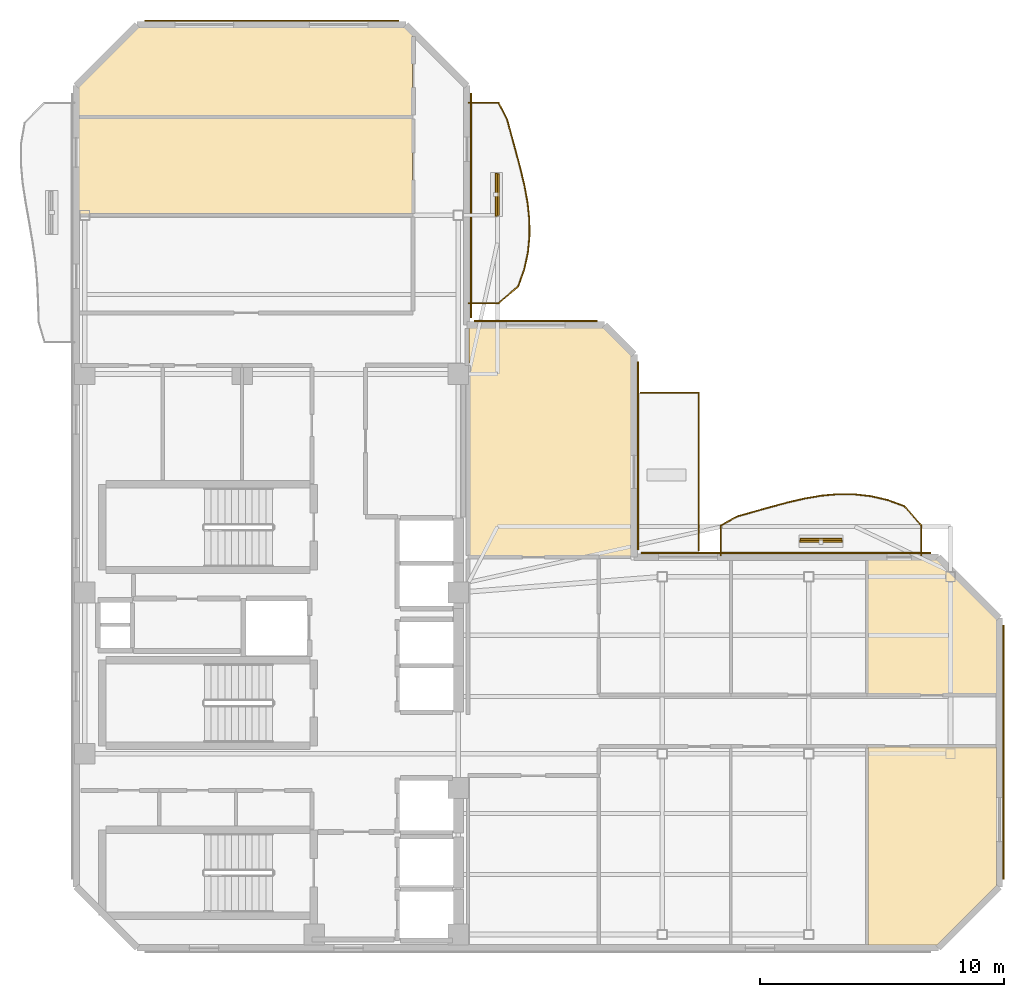
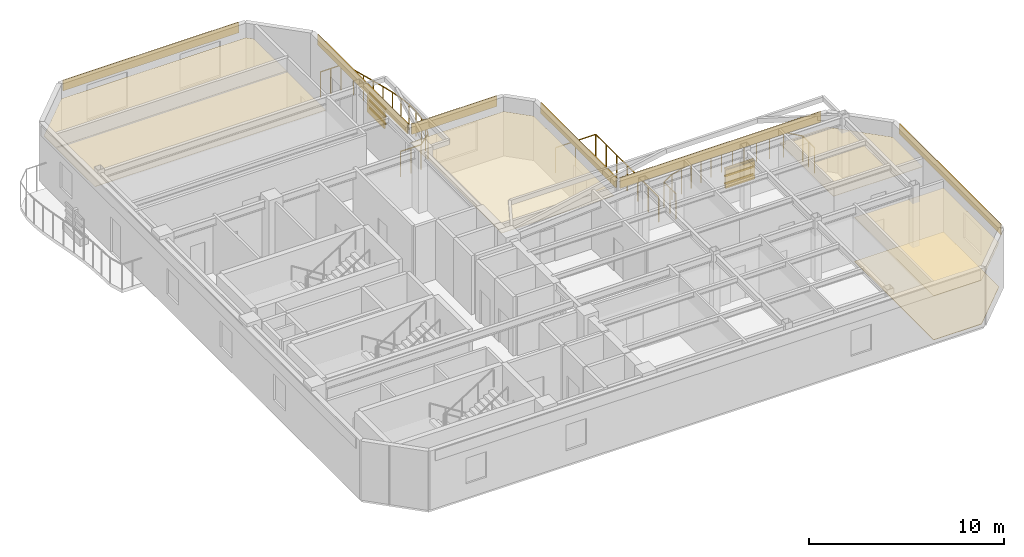
# One storey, part 8 of 8: 12 coverings, 8 shading devices, 4 railings.
"""IFC4 building model written with IfcOpenShell, lengths in metres."""

import ifcopenshell
import ifcopenshell.guid

model = None  # the IFC model being written
_history = None  # IfcOwnerHistory: only IFC2X3 demands one
_inside = {}  # id of a spatial element -> (the spatial element, [elements in it])
_under = {}  # id of a project, library or spatial element -> (it, [spatial elements below it])
_declared = {}  # id of a project -> (the project, [libraries it declares])
_typed = {}  # id of a type object -> (the type object, [elements of that type])
_made_of = {}  # id of a material, layer set ... -> (it, [elements and type objects made of it])


def new_model(schema):
    """Start an empty IFC model of exactly this schema.

    Asked for "IFC4X3", IfcOpenShell would pick the latest addendum, in which some entities
    have other attributes; the version numbers below select the first issue.
    IFC2X3 requires an IfcOwnerHistory on every rooted entity: one is made here for all.
    """
    global model, _history
    if schema == "IFC4X3":
        model = ifcopenshell.file(schema_version=(4, 3, 0, 0))
    else:
        model = ifcopenshell.file(schema=schema)
    _inside.clear()
    _under.clear()
    _declared.clear()
    _typed.clear()
    _made_of.clear()
    _history = None
    if model.schema == "IFC2X3":
        org = make("IfcOrganization", Name="unknown")
        user = make(
            "IfcPersonAndOrganization",
            ThePerson=make("IfcPerson", FamilyName="unknown"),
            TheOrganization=org,
        )
        app = make(
            "IfcApplication",
            ApplicationDeveloper=org,
            Version="unknown",
            ApplicationFullName="unknown",
            ApplicationIdentifier="unknown",
        )
        _history = make(
            "IfcOwnerHistory",
            OwningUser=user,
            OwningApplication=app,
            ChangeAction="ADDED",
            CreationDate=0,
        )
    return model


def make(cls, **values):
    """One entity of the class cls with the attributes given. An attribute that is None is left unset."""
    return model.create_entity(
        cls, **{name: value for name, value in values.items() if value is not None}
    )


def rooted(cls, **values):
    """An entity with a GlobalId (a new one), such as an element, a storey or a relation."""
    return make(cls, GlobalId=ifcopenshell.guid.new(), OwnerHistory=_history, **values)


def si_unit(unit_type, name, prefix=None):
    """IfcSIUnit, for example si_unit("LENGTHUNIT", "METRE", prefix="MILLI")."""
    return make("IfcSIUnit", UnitType=unit_type, Prefix=prefix, Name=name)


def assignment(units):
    """IfcUnitAssignment: the units of a project."""
    return None if units is None else make("IfcUnitAssignment", Units=units)


def point(xyz):
    """IfcCartesianPoint."""
    return None if xyz is None else make("IfcCartesianPoint", Coordinates=xyz)


def direction(xyz):
    """IfcDirection."""
    return None if xyz is None else make("IfcDirection", DirectionRatios=xyz)


def frame(location, z_axis=None, x_axis=None):
    """IfcAxis2Placement3D, a coordinate frame: its origin and axes. An axis left out is left unset."""
    return make(
        "IfcAxis2Placement3D",
        Location=point(location),
        Axis=direction(z_axis),
        RefDirection=direction(x_axis),
    )


def frame_2d(location, x_axis=None):
    """IfcAxis2Placement2D, a coordinate frame in the plane: its origin and x axis."""
    return make(
        "IfcAxis2Placement2D", Location=point(location), RefDirection=direction(x_axis)
    )


def origin():
    """The frame at (0, 0, 0) with its axes left unset."""
    return frame((0.0, 0.0, 0.0))


def origin_2d():
    """The frame at (0, 0) in the plane with its x axis left unset."""
    return frame_2d((0.0, 0.0))


def place(relative_to, where):
    """IfcLocalPlacement: puts the frame where relative to a parent placement (None: the world)."""
    return make(
        "IfcLocalPlacement", PlacementRelTo=relative_to, RelativePlacement=where
    )


def context(
    kind, dimensions, precision=None, world=None, true_north=None, identifier=None
):
    """IfcGeometricRepresentationContext, for example the 3D "Model" context."""
    return make(
        "IfcGeometricRepresentationContext",
        ContextIdentifier=identifier,
        ContextType=kind,
        CoordinateSpaceDimension=dimensions,
        Precision=precision,
        WorldCoordinateSystem=world,
        TrueNorth=true_north,
    )


def subcontext(parent, identifier, kind, view, scale=None):
    """IfcGeometricRepresentationSubContext, for example "Body" below "Model"."""
    return make(
        "IfcGeometricRepresentationSubContext",
        ContextIdentifier=identifier,
        ContextType=kind,
        ParentContext=parent,
        TargetScale=scale,
        TargetView=view,
    )


def project(units=None, contexts=None):
    """IfcProject with its units and contexts."""
    return rooted(
        "IfcProject",
        Name="project",
        RepresentationContexts=contexts,
        UnitsInContext=assignment(units),
    )


def spatial(cls, under=None, at=None, **own):
    """A site, building, storey or space (cls), placed at a placement, below another one or the project."""
    s = rooted(cls, ObjectPlacement=at, **own)
    if under is not None:
        _under.setdefault(under.id(), (under, []))[1].append(s)
    return s


def polyline(points):
    """IfcPolyline through the points."""
    return make("IfcPolyline", Points=[point(p) for p in points])


def profile(cls, at=None, kind="AREA", **sizes):
    """A parametric profile (cls). Its sizes go by their IFC names, for example OverallWidth=200.0."""
    return make(cls, ProfileType=kind, Position=at, **sizes)


def rectangle(**sizes):
    """IfcRectangleProfileDef."""
    return profile("IfcRectangleProfileDef", **sizes)


def outline(outer, holes=None, kind="AREA"):
    """IfcArbitraryClosedProfileDef: a profile drawn as a closed curve; with holes, ...WithVoids."""
    if holes is None:
        return make("IfcArbitraryClosedProfileDef", ProfileType=kind, OuterCurve=outer)
    return make(
        "IfcArbitraryProfileDefWithVoids",
        ProfileType=kind,
        OuterCurve=outer,
        InnerCurves=holes,
    )


def extrude(swept, where, along, depth):
    """IfcExtrudedAreaSolid: the profile swept, set in the frame where, extruded along a direction by depth."""
    return make(
        "IfcExtrudedAreaSolid",
        SweptArea=swept,
        Position=where,
        ExtrudedDirection=direction(along),
        Depth=depth,
    )


def shape(context_of_items, identifier, shape_type, items):
    """IfcShapeRepresentation: the items that make up one representation, for example the "Body"."""
    return make(
        "IfcShapeRepresentation",
        ContextOfItems=context_of_items,
        RepresentationIdentifier=identifier,
        RepresentationType=shape_type,
        Items=items,
    )


def material(Name=None, Category=None):
    """IfcMaterial."""
    return make("IfcMaterial", Name=Name, Category=Category)


def layer(
    of_material, thickness, ventilated=None, Name=None, Category=None, Priority=None
):
    """IfcMaterialLayer: one layer of a wall or slab, of a material (None: an air gap)."""
    return make(
        "IfcMaterialLayer",
        Material=of_material,
        LayerThickness=thickness,
        IsVentilated=ventilated,
        Name=Name,
        Category=Category,
        Priority=Priority,
    )


def layer_set(layers, Name=None):
    """IfcMaterialLayerSet."""
    return make("IfcMaterialLayerSet", MaterialLayers=layers, LayerSetName=Name)


def material_profile(
    of_material, cross_section, Name=None, Category=None, Priority=None
):
    """IfcMaterialProfile: a cross section and its material."""
    return make(
        "IfcMaterialProfile",
        Name=Name,
        Material=of_material,
        Profile=cross_section,
        Priority=Priority,
        Category=Category,
    )


def profile_set(profiles, Name=None, composite=None):
    """IfcMaterialProfileSet."""
    return make(
        "IfcMaterialProfileSet",
        Name=Name,
        MaterialProfiles=profiles,
        CompositeProfile=composite,
    )


def made_of(thing, what):
    """Note that an element or type object is made of a material, layer set ...; save() writes the relation."""
    if what is not None:
        _made_of.setdefault(what.id(), (what, []))[1].append(thing)
    return thing


def type_object(cls, material=None, **own):
    """A type object (cls), such as IfcWallType, which elements share."""
    return made_of(rooted(cls, **own), material)


def element(
    cls,
    number,
    at=None,
    inside=None,
    cuts=None,
    type_object=None,
    material=None,
    context=None,
    identifier="Body",
    shape_type=None,
    held_by="IfcProductDefinitionShape",
    body=None,
    shapes=None,
    **own,
):
    """One element of the class cls, such as IfcWall. Its Tag is "e" and its number.

    at: its placement. inside: the storey or other place that contains it. cuts: it is an
    opening in that element (IfcRelVoidsElement). A single representation is given by context,
    identifier, shape_type and body (its items); several are given by shapes. held_by: the class
    of the entity that holds the representations. save() writes the other relations.
    """
    e = rooted(cls, Tag="e%d" % number, ObjectPlacement=at, **own)
    if body is not None:
        shapes = [shape(context, identifier, shape_type, body)]
    if shapes is not None:
        e.Representation = make(held_by, Representations=shapes)
    if inside is not None:
        _inside.setdefault(inside.id(), (inside, []))[1].append(e)
    if cuts is not None:
        rooted(
            "IfcRelVoidsElement", RelatingBuildingElement=cuts, RelatedOpeningElement=e
        )
    if type_object is not None:
        _typed.setdefault(type_object.id(), (type_object, []))[1].append(e)
    return made_of(e, material)


def aggregate(whole, parts):
    """IfcRelAggregates: a whole, such as a stair, and the parts it consists of."""
    return rooted("IfcRelAggregates", RelatingObject=whole, RelatedObjects=parts)


def save(model, path):
    """Write the relations noted so far, then the file.

    IfcRelAggregates (storeys below a building ...), IfcRelContainedInSpatialStructure (elements
    in a storey), IfcRelDefinesByType, IfcRelAssociatesMaterial and IfcRelDeclares: one each for
    every whole, place, type object, material and project.
    """
    for whole, parts in _under.values():
        aggregate(whole, parts)
    for where, things in _inside.values():
        rooted(
            "IfcRelContainedInSpatialStructure",
            RelatedElements=things,
            RelatingStructure=where,
        )
    for kind, things in _typed.values():
        rooted("IfcRelDefinesByType", RelatedObjects=things, RelatingType=kind)
    for what, things in _made_of.values():
        rooted("IfcRelAssociatesMaterial", RelatedObjects=things, RelatingMaterial=what)
    for by, libraries in _declared.values():
        rooted("IfcRelDeclares", RelatingContext=by, RelatedDefinitions=libraries)
    model.write(path)


model = new_model("IFC4")

# Units and contexts
model_context = context("Model", 3, precision=1e-05, world=origin(), true_north=direction((0.0, 1.0)))
body_context = subcontext(model_context, "Body", "Model", "MODEL_VIEW")
ifc_project = project(units=[si_unit("LENGTHUNIT", "METRE"), si_unit("AREAUNIT", "SQUARE_METRE"), si_unit("VOLUMEUNIT", "CUBIC_METRE"), si_unit("PLANEANGLEUNIT", "RADIAN"), si_unit("MASSUNIT", "GRAM", prefix="KILO")], contexts=[model_context])

# Site, building, storey
site_placement = place(None, origin())
site = spatial("IfcSite", under=ifc_project, at=site_placement, CompositionType="ELEMENT")
building_placement = place(site_placement, origin())
building = spatial("IfcBuilding", under=site, at=building_placement, Name="Mawjaban Terraces University", CompositionType="ELEMENT")
storey_placement = place(building_placement, frame((0.0, 0.0, 248.199951171875)))
storey = spatial("IfcBuildingStorey", under=building, at=storey_placement, Name="L60", CompositionType="ELEMENT", Elevation=248.199951171875)

# Coverings
ifc_material_1 = material(Name="Acoustic mineral fibre ceiling tile", Category="masonry")
ifc_layer_1 = layer(ifc_material_1, 0.02001953125)
ifc_layer_set_1 = layer_set([ifc_layer_1], Name="Acoustic mineral fibre ceiling tile")
covering_type_1 = type_object("IfcCoveringType", Name="AcousticMineralCeiling_20", PredefinedType="CEILING", material=ifc_layer_set_1)
covering_1_placement = place(storey_placement, frame((0.0, 0.0, 2.75)))
element("IfcCovering", 1, at=covering_1_placement, inside=storey, type_object=covering_type_1, Name="L60 Classroom 6 Acoustic Ceiling", PredefinedType="CEILING", context=body_context, shape_type="SweptSolid", body=[
    extrude(outline(polyline([(54.41796875, 0.114990234375), (57.2529296875, 0.114990234375), (59.68505859375, 2.547119140625), (59.68505859375, 8.219970703125), (54.41796875, 8.219970703125), (54.41796875, 0.114990234375)])), origin(), (0.0, 0.0, 1.0), 0.02001953125),
])
covering_2_placement = place(storey_placement, frame((0.0, 0.0, 2.75)))
element("IfcCovering", 2, at=covering_2_placement, inside=storey, type_object=covering_type_1, Name="L60 Faculty Office 7 Acoustic Ceiling", PredefinedType="CEILING", context=body_context, shape_type="SweptSolid", body=[
    extrude(outline(polyline([(59.68505859375, 10.3798828125), (59.68505859375, 13.452880859375), (57.2529296875, 15.885009765625), (54.41796875, 15.885009765625), (54.41796875, 10.3798828125), (59.68505859375, 10.3798828125)])), origin(), (0.0, 0.0, 1.0), 0.02001953125),
])
covering_3_placement = place(storey_placement, frame((0.0, 0.0, 2.75)))
element("IfcCovering", 3, at=covering_3_placement, inside=storey, type_object=covering_type_1, Name="L60 Computational Laboratory 9 Acoustic Ceiling", PredefinedType="CEILING", context=body_context, shape_type="SweptSolid", body=[
    extrude(outline(polyline([(22.114990234375, 33.993896484375), (22.114990234375, 30.030029296875), (35.77001953125, 30.030029296875), (35.77001953125, 33.993896484375), (22.114990234375, 33.993896484375)])), origin(), (0.0, 0.0, 1.0), 0.02001953125),
])
covering_4_placement = place(storey_placement, frame((0.0, 0.0, 2.75)))
element("IfcCovering", 4, at=covering_4_placement, inside=storey, type_object=covering_type_1, Name="L60 Design Studio 10 Acoustic Ceiling", PredefinedType="CEILING", context=body_context, shape_type="SweptSolid", body=[
    extrude(outline(polyline([(35.77001953125, 37.367919921875), (35.452880859375, 37.68505859375), (24.547119140625, 37.68505859375), (22.114990234375, 35.2529296875), (22.114990234375, 34.053955078125), (35.77001953125, 34.053955078125), (35.77001953125, 37.367919921875)])), origin(), (0.0, 0.0, 1.0), 0.02001953125),
])
covering_5_placement = place(storey_placement, frame((0.0, 0.0, 2.75)))
element("IfcCovering", 5, at=covering_5_placement, inside=storey, type_object=covering_type_1, Name="L60 Terrace Collaborative Study Room Acoustic Ceiling", PredefinedType="CEILING", context=body_context, shape_type="SweptSolid", body=[
    extrude(outline(polyline([(44.72509765625, 16.030029296875), (44.72509765625, 24.2529296875), (43.593017578125, 25.385009765625), (38.080078125, 25.385009765625), (38.080078125, 16.030029296875), (44.72509765625, 16.030029296875)])), origin(), (0.0, 0.0, 1.0), 0.02001953125),
])

# Railings
ifc_material_2 = material(Name="Galvanised powder-coated steel S355", Category="steel")
railing_type = type_object("IfcRailingType", Name="BalconyBalustrade_1600", PredefinedType="BALUSTRADE", material=ifc_material_2)
railing_1_placement = place(storey_placement, frame((48.39990234375, 16.080078125, 0.0)))
element("IfcRailing", 6, at=railing_1_placement, inside=storey, type_object=railing_type, Name="L60 Balcony Guardrail inner_north", PredefinedType="BALUSTRADE", context=body_context, shape_type="SweptSolid", body=[
    extrude(rectangle(XDim=0.048095703125, YDim=0.048095703125, at=origin_2d()), frame((0.0, 0.0, 1.576171875), z_axis=(0.0, 1.0, 0.0), x_axis=(-1.0, 0.0, 0.0)), (0.0, 0.0, 1.0), 1.219970703125),
    extrude(rectangle(XDim=0.048095703125, YDim=0.048095703125, at=origin_2d()), frame((0.0, 1.219970703125, 1.576171875), z_axis=(0.8793687334, 0.47614139782, 0.0), x_axis=(-0.47614139782, 0.8793687334, 0.0)), (0.0, 0.0, 1.0), 0.77685546875),
    extrude(rectangle(XDim=0.048095703125, YDim=0.048095703125, at=origin_2d()), frame((0.68310546875, 1.58984375, 1.576171875), z_axis=(0.962027608274, 0.272952158664, 0.0), x_axis=(-0.272952158664, 0.962027608274, 0.0)), (0.0, 0.0, 1.0), 0.711181640625),
    extrude(rectangle(XDim=0.048095703125, YDim=0.048095703125, at=origin_2d()), frame((1.3671875, 1.783935546875, 1.576171875), z_axis=(0.962709788537, 0.270536250908, 0.0), x_axis=(-0.270536250908, 0.962709788537, 0.0)), (0.0, 0.0, 1.0), 0.709228515625),
    extrude(rectangle(XDim=0.048095703125, YDim=0.048095703125, at=origin_2d()), frame((2.050048828125, 1.975830078125, 1.576171875), z_axis=(0.965901816162, 0.258908635497, 0.0), x_axis=(-0.258908635497, 0.965901816162, 0.0)), (0.0, 0.0, 1.0), 0.707275390625),
    extrude(rectangle(XDim=0.048095703125, YDim=0.048095703125, at=origin_2d()), frame((2.733154296875, 2.158935546875, 1.576171875), z_axis=(0.974038350236, 0.226383065335, 0.0), x_axis=(-0.226383065335, 0.974038350236, 0.0)), (0.0, 0.0, 1.0), 0.7021484375),
    extrude(rectangle(XDim=0.048095703125, YDim=0.048095703125, at=origin_2d()), frame((3.4169921875, 2.31787109375, 1.576171875), z_axis=(0.985366434476, 0.170449376085, 0.0), x_axis=(-0.170449376085, 0.985366434476, 0.0)), (0.0, 0.0, 1.0), 0.693359375),
    extrude(rectangle(XDim=0.048095703125, YDim=0.048095703125, at=origin_2d()), frame((4.10009765625, 2.43603515625, 1.576171875), z_axis=(0.995936853966, 0.090054333114, 0.0), x_axis=(-0.090054333114, 0.995936853966, 0.0)), (0.0, 0.0, 1.0), 0.685791015625),
    extrude(rectangle(XDim=0.048095703125, YDim=0.048095703125, at=origin_2d()), frame((4.783203125, 2.497802734375, 1.576171875), z_axis=(0.999974508982, -0.00714012502, 0.0), x_axis=(0.00714012502, 0.999974508982, 0.0)), (0.0, 0.0, 1.0), 0.683837890625),
    extrude(rectangle(XDim=0.048095703125, YDim=0.048095703125, at=origin_2d()), frame((5.467041015625, 2.492919921875, 1.576171875), z_axis=(0.993563538808, -0.113276186161, 0.0), x_axis=(0.113276186161, 0.993563538808, 0.0)), (0.0, 0.0, 1.0), 0.6875),
    extrude(rectangle(XDim=0.048095703125, YDim=0.048095703125, at=origin_2d()), frame((6.150146484375, 2.4150390625, 1.576171875), z_axis=(0.974502645233, -0.224376011273, 0.0), x_axis=(0.224376011273, 0.974502645233, 0.0)), (0.0, 0.0, 1.0), 0.70068359375),
    extrude(rectangle(XDim=0.048095703125, YDim=0.048095703125, at=origin_2d()), frame((6.8330078125, 2.2578125, 1.576171875), z_axis=(0.938811323663, -0.344431848938, 0.0), x_axis=(0.344431848938, 0.938811323663, 0.0)), (0.0, 0.0, 1.0), 0.728759765625),
    extrude(rectangle(XDim=0.048095703125, YDim=0.048095703125, at=origin_2d()), frame((7.51708984375, 2.0068359375, 1.576171875), z_axis=(0.655563624514, -0.755139943463, 0.0), x_axis=(0.755139943463, 0.655563624514, 0.0)), (0.0, 0.0, 1.0), 1.0419921875),
    extrude(rectangle(XDim=0.048095703125, YDim=0.048095703125, at=origin_2d()), frame((8.2001953125, 1.219970703125, 1.576171875), z_axis=(0.0, -1.0, 0.0), x_axis=(1.0, 0.0, 0.0)), (0.0, 0.0, 1.0), 1.219970703125),
    extrude(rectangle(XDim=0.0419921875, YDim=0.0419921875, at=origin_2d()), origin(), (0.0, 0.0, 1.0), 1.552001953125),
    extrude(rectangle(XDim=0.0419921875, YDim=0.0419921875, at=origin_2d()), frame((0.0, 0.60986328125, 0.0)), (0.0, 0.0, 1.0), 1.552001953125),
    extrude(rectangle(XDim=0.0419921875, YDim=0.0419921875, at=origin_2d()), frame((0.0, 1.219970703125, 0.0)), (0.0, 0.0, 1.0), 1.552001953125),
    extrude(rectangle(XDim=0.0419921875, YDim=0.0419921875, at=origin_2d()), frame((0.68310546875, 1.58984375, 0.0)), (0.0, 0.0, 1.0), 1.552001953125),
    extrude(rectangle(XDim=0.0419921875, YDim=0.0419921875, at=origin_2d()), frame((1.3671875, 1.783935546875, 0.0)), (0.0, 0.0, 1.0), 1.552001953125),
    extrude(rectangle(XDim=0.0419921875, YDim=0.0419921875, at=origin_2d()), frame((2.050048828125, 1.975830078125, 0.0)), (0.0, 0.0, 1.0), 1.552001953125),
    extrude(rectangle(XDim=0.0419921875, YDim=0.0419921875, at=origin_2d()), frame((2.733154296875, 2.158935546875, 0.0)), (0.0, 0.0, 1.0), 1.552001953125),
    extrude(rectangle(XDim=0.0419921875, YDim=0.0419921875, at=origin_2d()), frame((3.4169921875, 2.31787109375, 0.0)), (0.0, 0.0, 1.0), 1.552001953125),
    extrude(rectangle(XDim=0.0419921875, YDim=0.0419921875, at=origin_2d()), frame((4.10009765625, 2.43603515625, 0.0)), (0.0, 0.0, 1.0), 1.552001953125),
    extrude(rectangle(XDim=0.0419921875, YDim=0.0419921875, at=origin_2d()), frame((4.783203125, 2.497802734375, 0.0)), (0.0, 0.0, 1.0), 1.552001953125),
    extrude(rectangle(XDim=0.0419921875, YDim=0.0419921875, at=origin_2d()), frame((5.467041015625, 2.492919921875, 0.0)), (0.0, 0.0, 1.0), 1.552001953125),
    extrude(rectangle(XDim=0.0419921875, YDim=0.0419921875, at=origin_2d()), frame((6.150146484375, 2.4150390625, 0.0)), (0.0, 0.0, 1.0), 1.552001953125),
    extrude(rectangle(XDim=0.0419921875, YDim=0.0419921875, at=origin_2d()), frame((6.8330078125, 2.2578125, 0.0)), (0.0, 0.0, 1.0), 1.552001953125),
    extrude(rectangle(XDim=0.0419921875, YDim=0.0419921875, at=origin_2d()), frame((7.51708984375, 2.0068359375, 0.0)), (0.0, 0.0, 1.0), 1.552001953125),
    extrude(rectangle(XDim=0.0419921875, YDim=0.0419921875, at=origin_2d()), frame((8.2001953125, 1.219970703125, 0.0)), (0.0, 0.0, 1.0), 1.552001953125),
    extrude(rectangle(XDim=0.0419921875, YDim=0.0419921875, at=origin_2d()), frame((8.2001953125, 0.60986328125, 0.0)), (0.0, 0.0, 1.0), 1.552001953125),
    extrude(rectangle(XDim=0.0419921875, YDim=0.0419921875, at=origin_2d()), frame((8.2001953125, 0.0, 0.0)), (0.0, 0.0, 1.0), 1.552001953125),
])
railing_2_placement = place(storey_placement, frame((38.080078125, 26.39990234375, 0.0)))
element("IfcRailing", 7, at=railing_2_placement, inside=storey, type_object=railing_type, Name="L60 Balcony Guardrail inner_east", PredefinedType="BALUSTRADE", context=body_context, shape_type="SweptSolid", body=[
    extrude(rectangle(XDim=0.048095703125, YDim=0.048095703125, at=origin_2d()), frame((0.0, 0.0, 1.576171875), z_axis=(1.0, 0.0, 0.0), x_axis=(0.0, 1.0, 0.0)), (0.0, 0.0, 1.0), 1.219970703125),
    extrude(rectangle(XDim=0.048095703125, YDim=0.048095703125, at=origin_2d()), frame((1.219970703125, 0.0, 1.576171875), z_axis=(0.760500211472, 0.649337684376, 0.0), x_axis=(-0.649337684376, 0.760500211472, 0.0)), (0.0, 0.0, 1.0), 1.052001953125),
    extrude(rectangle(XDim=0.048095703125, YDim=0.048095703125, at=origin_2d()), frame((2.02001953125, 0.68310546875, 1.576171875), z_axis=(0.339396970408, 0.940643235493, 0.0), x_axis=(-0.940643235493, 0.339396970408, 0.0)), (0.0, 0.0, 1.0), 0.727294921875),
    extrude(rectangle(XDim=0.048095703125, YDim=0.048095703125, at=origin_2d()), frame((2.266845703125, 1.3671875, 1.576171875), z_axis=(0.213415615757, 0.976961501264, 0.0), x_axis=(-0.976961501264, 0.213415615757, 0.0)), (0.0, 0.0, 1.0), 0.698974609375),
    extrude(rectangle(XDim=0.048095703125, YDim=0.048095703125, at=origin_2d()), frame((2.416015625, 2.050048828125, 1.576171875), z_axis=(0.098869872456, 0.995100370978, 0.0), x_axis=(-0.995100370978, 0.098869872456, 0.0)), (0.0, 0.0, 1.0), 0.6865234375),
    extrude(rectangle(XDim=0.048095703125, YDim=0.048095703125, at=origin_2d()), frame((2.48388671875, 2.733154296875, 1.576171875), z_axis=(-0.008568053925, 0.999963293552, 0.0), x_axis=(-0.999963293552, -0.008568053925, 0.0)), (0.0, 0.0, 1.0), 0.683837890625),
    extrude(rectangle(XDim=0.048095703125, YDim=0.048095703125, at=origin_2d()), frame((2.47802734375, 3.4169921875, 1.576171875), z_axis=(-0.103444903127, 0.994635185391, 0.0), x_axis=(-0.994635185391, -0.103444903127, 0.0)), (0.0, 0.0, 1.0), 0.686767578125),
    extrude(rectangle(XDim=0.048095703125, YDim=0.048095703125, at=origin_2d()), frame((2.406982421875, 4.10009765625, 1.576171875), z_axis=(-0.177275648492, 0.984161239052, 0.0), x_axis=(-0.984161239052, -0.177275648492, 0.0)), (0.0, 0.0, 1.0), 0.694091796875),
    extrude(rectangle(XDim=0.048095703125, YDim=0.048095703125, at=origin_2d()), frame((2.283935546875, 4.783203125, 1.576171875), z_axis=(-0.230665472106, 0.973033113506, 0.0), x_axis=(-0.973033113506, -0.230665472106, 0.0)), (0.0, 0.0, 1.0), 0.702880859375),
    extrude(rectangle(XDim=0.048095703125, YDim=0.048095703125, at=origin_2d()), frame((2.121826171875, 5.467041015625, 1.576171875), z_axis=(-0.256006510883, 0.966675057289, 0.0), x_axis=(-0.966675057289, -0.256006510883, 0.0)), (0.0, 0.0, 1.0), 0.70654296875),
    extrude(rectangle(XDim=0.048095703125, YDim=0.048095703125, at=origin_2d()), frame((1.94091796875, 6.150146484375, 1.576171875), z_axis=(-0.264138480669, 0.964484765577, 0.0), x_axis=(-0.964484765577, -0.264138480669, 0.0)), (0.0, 0.0, 1.0), 0.7080078125),
    extrude(rectangle(XDim=0.048095703125, YDim=0.048095703125, at=origin_2d()), frame((1.75390625, 6.8330078125, 1.576171875), z_axis=(-0.261134622918, 0.965302392369, 0.0), x_axis=(-0.965302392369, -0.261134622918, 0.0)), (0.0, 0.0, 1.0), 0.708740234375),
    extrude(rectangle(XDim=0.048095703125, YDim=0.048095703125, at=origin_2d()), frame((1.56884765625, 7.51708984375, 1.576171875), z_axis=(-0.454836242036, 0.890575091124, 0.0), x_axis=(-0.890575091124, -0.454836242036, 0.0)), (0.0, 0.0, 1.0), 0.76708984375),
    extrude(rectangle(XDim=0.048095703125, YDim=0.048095703125, at=origin_2d()), frame((1.219970703125, 8.2001953125, 1.576171875), z_axis=(-1.0, 0.0, 0.0), x_axis=(0.0, -1.0, 0.0)), (0.0, 0.0, 1.0), 1.219970703125),
    extrude(rectangle(XDim=0.0419921875, YDim=0.0419921875, at=origin_2d()), origin(), (0.0, 0.0, 1.0), 1.552001953125),
    extrude(rectangle(XDim=0.0419921875, YDim=0.0419921875, at=origin_2d()), frame((0.60986328125, 0.0, 0.0)), (0.0, 0.0, 1.0), 1.552001953125),
    extrude(rectangle(XDim=0.0419921875, YDim=0.0419921875, at=origin_2d()), frame((1.219970703125, 0.0, 0.0)), (0.0, 0.0, 1.0), 1.552001953125),
    extrude(rectangle(XDim=0.0419921875, YDim=0.0419921875, at=origin_2d()), frame((2.02001953125, 0.68310546875, 0.0)), (0.0, 0.0, 1.0), 1.552001953125),
    extrude(rectangle(XDim=0.0419921875, YDim=0.0419921875, at=origin_2d()), frame((2.266845703125, 1.3671875, 0.0)), (0.0, 0.0, 1.0), 1.552001953125),
    extrude(rectangle(XDim=0.0419921875, YDim=0.0419921875, at=origin_2d()), frame((2.416015625, 2.050048828125, 0.0)), (0.0, 0.0, 1.0), 1.552001953125),
    extrude(rectangle(XDim=0.0419921875, YDim=0.0419921875, at=origin_2d()), frame((2.48388671875, 2.733154296875, 0.0)), (0.0, 0.0, 1.0), 1.552001953125),
    extrude(rectangle(XDim=0.0419921875, YDim=0.0419921875, at=origin_2d()), frame((2.47802734375, 3.4169921875, 0.0)), (0.0, 0.0, 1.0), 1.552001953125),
    extrude(rectangle(XDim=0.0419921875, YDim=0.0419921875, at=origin_2d()), frame((2.406982421875, 4.10009765625, 0.0)), (0.0, 0.0, 1.0), 1.552001953125),
    extrude(rectangle(XDim=0.0419921875, YDim=0.0419921875, at=origin_2d()), frame((2.283935546875, 4.783203125, 0.0)), (0.0, 0.0, 1.0), 1.552001953125),
    extrude(rectangle(XDim=0.0419921875, YDim=0.0419921875, at=origin_2d()), frame((2.121826171875, 5.467041015625, 0.0)), (0.0, 0.0, 1.0), 1.552001953125),
    extrude(rectangle(XDim=0.0419921875, YDim=0.0419921875, at=origin_2d()), frame((1.94091796875, 6.150146484375, 0.0)), (0.0, 0.0, 1.0), 1.552001953125),
    extrude(rectangle(XDim=0.0419921875, YDim=0.0419921875, at=origin_2d()), frame((1.75390625, 6.8330078125, 0.0)), (0.0, 0.0, 1.0), 1.552001953125),
    extrude(rectangle(XDim=0.0419921875, YDim=0.0419921875, at=origin_2d()), frame((1.56884765625, 7.51708984375, 0.0)), (0.0, 0.0, 1.0), 1.552001953125),
    extrude(rectangle(XDim=0.0419921875, YDim=0.0419921875, at=origin_2d()), frame((1.219970703125, 8.2001953125, 0.0)), (0.0, 0.0, 1.0), 1.552001953125),
    extrude(rectangle(XDim=0.0419921875, YDim=0.0419921875, at=origin_2d()), frame((0.60986328125, 8.2001953125, 0.0)), (0.0, 0.0, 1.0), 1.552001953125),
    extrude(rectangle(XDim=0.0419921875, YDim=0.0419921875, at=origin_2d()), frame((0.0, 8.2001953125, 0.0)), (0.0, 0.0, 1.0), 1.552001953125),
])
railing_3_placement = place(storey_placement, frame((47.5, 16.280029296875, 0.0)))
element("IfcRailing", 8, at=railing_3_placement, inside=storey, type_object=railing_type, Name="L60 Terrace Guardrail TER-L60-CLIMB.1", PredefinedType="BALUSTRADE", context=body_context, shape_type="SweptSolid", body=[
    extrude(rectangle(XDim=0.048095703125, YDim=0.048095703125, at=origin_2d()), frame((0.0, 0.0, 1.576171875), z_axis=(0.0, 1.0, 0.0), x_axis=(-1.0, 0.0, 0.0)), (0.0, 0.0, 1.0), 6.445068359375),
    extrude(rectangle(XDim=0.0419921875, YDim=0.0419921875, at=origin_2d()), origin(), (0.0, 0.0, 1.0), 1.552001953125),
    extrude(rectangle(XDim=0.0419921875, YDim=0.0419921875, at=origin_2d()), frame((0.0, 1.07421875, 0.0)), (0.0, 0.0, 1.0), 1.552001953125),
    extrude(rectangle(XDim=0.0419921875, YDim=0.0419921875, at=origin_2d()), frame((0.0, 2.1484375, 0.0)), (0.0, 0.0, 1.0), 1.552001953125),
    extrude(rectangle(XDim=0.0419921875, YDim=0.0419921875, at=origin_2d()), frame((0.0, 3.22265625, 0.0)), (0.0, 0.0, 1.0), 1.552001953125),
    extrude(rectangle(XDim=0.0419921875, YDim=0.0419921875, at=origin_2d()), frame((0.0, 4.296630859375, 0.0)), (0.0, 0.0, 1.0), 1.552001953125),
    extrude(rectangle(XDim=0.0419921875, YDim=0.0419921875, at=origin_2d()), frame((0.0, 5.370849609375, 0.0)), (0.0, 0.0, 1.0), 1.552001953125),
    extrude(rectangle(XDim=0.0419921875, YDim=0.0419921875, at=origin_2d()), frame((0.0, 6.445068359375, 0.0)), (0.0, 0.0, 1.0), 1.552001953125),
])
railing_4_placement = place(storey_placement, frame((47.5, 22.72509765625, 0.0)))
element("IfcRailing", 9, at=railing_4_placement, inside=storey, type_object=railing_type, Name="L60 Terrace Guardrail TER-L60-CLIMB.2", PredefinedType="BALUSTRADE", context=body_context, shape_type="SweptSolid", body=[
    extrude(rectangle(XDim=0.048095703125, YDim=0.048095703125, at=origin_2d()), frame((0.0, 0.0, 1.576171875), z_axis=(-1.0, 0.0, 0.0), x_axis=(0.0, -1.0, 0.0)), (0.0, 0.0, 1.0), 2.3798828125),
    extrude(rectangle(XDim=0.0419921875, YDim=0.0419921875, at=origin_2d()), origin(), (0.0, 0.0, 1.0), 1.552001953125),
    extrude(rectangle(XDim=0.0419921875, YDim=0.0419921875, at=origin_2d()), frame((-1.18994140625, 0.0, 0.0)), (0.0, 0.0, 1.0), 1.552001953125),
    extrude(rectangle(XDim=0.0419921875, YDim=0.0419921875, at=origin_2d()), frame((-2.3798828125, 0.0, 0.0)), (0.0, 0.0, 1.0), 1.552001953125),
])

# Shading devices
ifc_material_3 = material(Name="Glazed architectural terracotta ceramic", Category="masonry")
ifc_material_profile = material_profile(ifc_material_3, rectangle(XDim=0.06494140625, YDim=0.110107421875, at=origin_2d()), Name="TBAG110X65")
ifc_profile_set = profile_set([ifc_material_profile], Name="Glazed architectural terracotta ceramic")
shading_device_type_1 = type_object("IfcShadingDeviceType", Name="TerracottaBaguette_110x65", PredefinedType="USERDEFINED", material=ifc_profile_set)
for number, where, z_axis, x_axis, name in (
    (10, (51.64990234375, 16.72998046875, 0.679931640625), (1.0, 0.0, 0.0), (0.0, 1.0, 0.0), "L60 Horizontal Terracotta Baguette inner_north.1"),
    (11, (51.64990234375, 16.72998046875, 1.150146484375), (1.0, 0.0, 0.0), (0.0, 1.0, 0.0), "L60 Horizontal Terracotta Baguette inner_north.2"),
    (12, (51.64990234375, 16.72998046875, 1.6201171875), (1.0, 0.0, 0.0), (0.0, 1.0, 0.0), "L60 Horizontal Terracotta Baguette inner_north.3"),
):
    element("IfcShadingDevice", number, at=place(storey_placement, frame(where, z_axis=z_axis, x_axis=x_axis)), inside=storey, type_object=shading_device_type_1, Name=name, ObjectType="BAGUETTE", PredefinedType="USERDEFINED", context=body_context, shape_type="SweptSolid", body=[
        extrude(rectangle(XDim=0.06494140625, YDim=0.110107421875, at=origin_2d()), origin(), (0.0, 0.0, 1.0), 1.7001953125),
    ])
for number, where, z_axis, x_axis, name in (
    (13, (39.29296875, 29.990966796875, 0.679931640625), (0.0, 1.0, 0.0), (-1.0, 0.0, 0.0), "L60 Horizontal Terracotta Baguette inner_east.1"),
    (14, (39.29296875, 29.990966796875, 1.150146484375), (0.0, 1.0, 0.0), (-1.0, 0.0, 0.0), "L60 Horizontal Terracotta Baguette inner_east.2"),
    (15, (39.29296875, 29.990966796875, 1.6201171875), (0.0, 1.0, 0.0), (-1.0, 0.0, 0.0), "L60 Horizontal Terracotta Baguette inner_east.3"),
):
    element("IfcShadingDevice", number, at=place(storey_placement, frame(where, z_axis=z_axis, x_axis=x_axis)), inside=storey, type_object=shading_device_type_1, Name=name, ObjectType="BAGUETTE", PredefinedType="USERDEFINED", context=body_context, shape_type="SweptSolid", body=[
        extrude(rectangle(XDim=0.06494140625, YDim=0.110107421875, at=origin_2d()), origin(), (0.0, 0.0, 1.0), 1.699951171875),
    ])
ifc_layer_2 = layer(ifc_material_3, 0.080078125)
ifc_layer_set_2 = layer_set([ifc_layer_2], Name="Glazed architectural terracotta ceramic")
shading_device_type_2 = type_object("IfcShadingDeviceType", Name="TerracottaScreen_Perforated", PredefinedType="USERDEFINED", material=ifc_layer_set_2)
for number, where, z_axis, x_axis, name in (
    (16, (52.5, 16.64501953125, 0.440185546875), (0.0, 0.0, 1.0), (1.0, 0.0, 0.0), "L60 Balcony Perforated Terracotta Screen inner_north"),
    (17, (39.2080078125, 30.841064453125, 0.440185546875), (0.0, 0.0, 1.0), (0.0, 1.0, 0.0), "L60 Balcony Perforated Terracotta Screen inner_east"),
):
    element("IfcShadingDevice", number, at=place(storey_placement, frame(where, z_axis=z_axis, x_axis=x_axis)), inside=storey, type_object=shading_device_type_2, Name=name, ObjectType="SCREEN", PredefinedType="USERDEFINED", context=body_context, shape_type="SweptSolid", body=[
        extrude(rectangle(XDim=1.75, YDim=0.080078125, at=origin_2d()), origin(), (0.0, 0.0, 1.0), 1.14990234375),
    ])

# Coverings
ifc_material_4 = material(Name="Glazed architectural terracotta rainscreen", Category="masonry")
ifc_layer_3 = layer(ifc_material_4, 0.06005859375)
ifc_layer_set_3 = layer_set([ifc_layer_3], Name="Glazed architectural terracotta rainscreen")
covering_type_2 = type_object("IfcCoveringType", Name="TerracottaSpandrelCladding_60", PredefinedType="CLADDING", material=ifc_layer_set_3)
covering_6_placement = place(storey_placement, frame((59.9619140625, 8.0, 3.01513671875), z_axis=(0.0, 0.0, 1.0), x_axis=(0.0, 1.0, 0.0)))
element("IfcCovering", 18, at=covering_6_placement, inside=storey, type_object=covering_type_2, Name="L60 Terracotta Spandrel Cladding 3", PredefinedType="CLADDING", context=body_context, shape_type="SweptSolid", body=[
    extrude(rectangle(XDim=10.39990234375, YDim=0.06005859375, at=origin_2d()), origin(), (0.0, 0.0, 1.0), 0.64990234375),
])
covering_7_placement = place(storey_placement, frame((51.070068359375, 16.1630859375, 3.01513671875), z_axis=(0.0, 0.0, 1.0), x_axis=(-1.0, 0.0, 0.0)))
element("IfcCovering", 19, at=covering_7_placement, inside=storey, type_object=covering_type_2, Name="L60 Terracotta Spandrel Cladding 5", PredefinedType="CLADDING", context=body_context, shape_type="SweptSolid", body=[
    extrude(rectangle(XDim=11.860107421875, YDim=0.06005859375, at=origin_2d()), origin(), (0.0, 0.0, 1.0), 0.64990234375),
])
covering_8_placement = place(storey_placement, frame((45.0029296875, 20.14990234375, 3.01513671875), z_axis=(0.0, 0.0, 1.0), x_axis=(0.0, 1.0, 0.0)))
element("IfcCovering", 20, at=covering_8_placement, inside=storey, type_object=covering_type_2, Name="L60 Terracotta Spandrel Cladding 6", PredefinedType="CLADDING", context=body_context, shape_type="SweptSolid", body=[
    extrude(rectangle(XDim=7.699951171875, YDim=0.06005859375, at=origin_2d()), origin(), (0.0, 0.0, 1.0), 0.64990234375),
])
covering_9_placement = place(storey_placement, frame((40.820068359375, 25.6630859375, 3.01513671875), z_axis=(0.0, 0.0, 1.0), x_axis=(-1.0, 0.0, 0.0)))
element("IfcCovering", 21, at=covering_9_placement, inside=storey, type_object=covering_type_2, Name="L60 Terracotta Spandrel Cladding 8", PredefinedType="CLADDING", context=body_context, shape_type="SweptSolid", body=[
    extrude(rectangle(XDim=5.0400390625, YDim=0.06005859375, at=origin_2d()), origin(), (0.0, 0.0, 1.0), 0.64990234375),
])
covering_10_placement = place(storey_placement, frame((38.1630859375, 30.39990234375, 3.01513671875), z_axis=(0.0, 0.0, 1.0), x_axis=(0.0, 1.0, 0.0)))
element("IfcCovering", 22, at=covering_10_placement, inside=storey, type_object=covering_type_2, Name="L60 Terracotta Spandrel Cladding 9", PredefinedType="CLADDING", context=body_context, shape_type="SweptSolid", body=[
    extrude(rectangle(XDim=9.199951171875, YDim=0.06005859375, at=origin_2d()), origin(), (0.0, 0.0, 1.0), 0.64990234375),
])
covering_11_placement = place(storey_placement, frame((30.0, 37.9619140625, 3.01513671875), z_axis=(0.0, 0.0, 1.0), x_axis=(-1.0, 0.0, 0.0)))
element("IfcCovering", 23, at=covering_11_placement, inside=storey, type_object=covering_type_2, Name="L60 Terracotta Spandrel Cladding 11", PredefinedType="CLADDING", context=body_context, shape_type="SweptSolid", body=[
    extrude(rectangle(XDim=10.39990234375, YDim=0.06005859375, at=origin_2d()), origin(), (0.0, 0.0, 1.0), 0.64990234375),
])
ifc_material_5 = material(Name="Polished Hijazi granite terrazzo flooring", Category="masonry")
ifc_layer_4 = layer(ifc_material_5, 0.02490234375)
ifc_layer_set_4 = layer_set([ifc_layer_4], Name="Polished Hijazi granite terrazzo flooring")
covering_type_3 = type_object("IfcCoveringType", Name="TerrazzoConcourseFlooring_25", PredefinedType="FLOORING", material=ifc_layer_set_4)
covering_12_placement = place(storey_placement, origin())
element("IfcCovering", 24, at=covering_12_placement, inside=storey, type_object=covering_type_3, Name="L60 Classroom 6 Terrazzo Flooring", PredefinedType="FLOORING", context=body_context, shape_type="SweptSolid", body=[
    extrude(outline(polyline([(54.41796875, 0.114990234375), (57.2529296875, 0.114990234375), (59.68505859375, 2.547119140625), (59.68505859375, 8.219970703125), (54.41796875, 8.219970703125), (54.41796875, 0.114990234375)])), origin(), (0.0, 0.0, 1.0), 0.025146484375),
])

save(model, "model.ifc")
